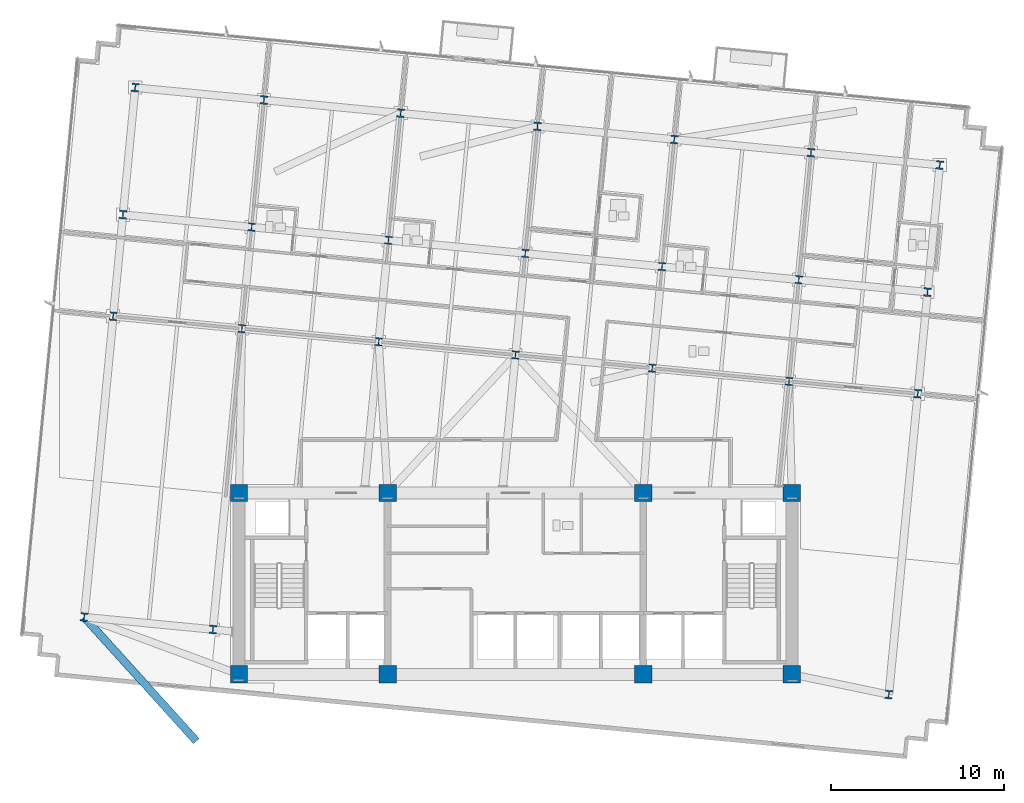
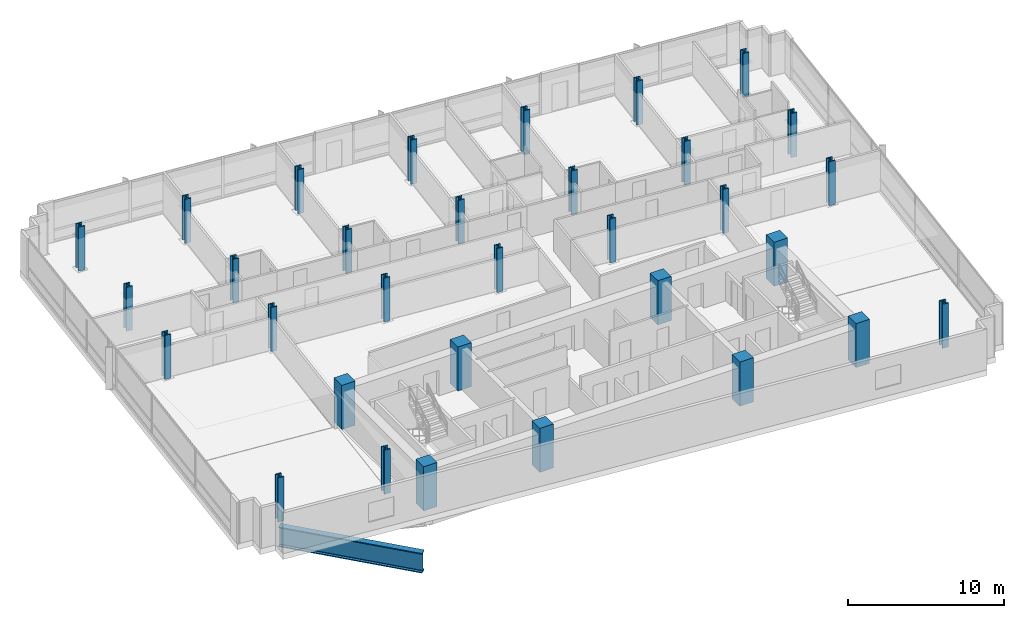
# One storey, part 1 of 18: 32 columns, 1 beam.
"""IFC4 building model written with IfcOpenShell, lengths in metres."""

from ifc_helpers import new_model, si_unit, direction, frame, origin, origin_2d, place, context, subcontext, project, spatial, rectangle, i_section, extrude, material, material_profile, profile_set, type_object, element, save


model = new_model("IFC4")

# Units and contexts
model_context = context("Model", 3, precision=1e-05, world=origin(), true_north=direction((0.0, 1.0)))
body_context = subcontext(model_context, "Body", "Model", "MODEL_VIEW")
ifc_project = project(units=[si_unit("LENGTHUNIT", "METRE"), si_unit("AREAUNIT", "SQUARE_METRE"), si_unit("VOLUMEUNIT", "CUBIC_METRE"), si_unit("PLANEANGLEUNIT", "RADIAN"), si_unit("MASSUNIT", "GRAM", prefix="KILO")], contexts=[model_context])

# Site, building, storey
site_placement = place(None, origin())
site = spatial("IfcSite", under=ifc_project, at=site_placement, CompositionType="ELEMENT")
building_placement = place(site_placement, origin())
building = spatial("IfcBuilding", under=site, at=building_placement, Name="Solmavex Isthmus Hotel", CompositionType="ELEMENT")
storey_placement = place(building_placement, frame((0.0, 0.0, 135.89990234375)))
storey = spatial("IfcBuildingStorey", under=building, at=storey_placement, Name="L36", CompositionType="ELEMENT", Elevation=135.89990234375)

# Columns
ifc_material_1 = material(Name="Concrete C60/75", Category="concrete")
ifc_material_profile_1 = material_profile(ifc_material_1, rectangle(XDim=1.0, YDim=1.0, at=origin_2d()), Name="RC1000X1000")
ifc_profile_set_1 = profile_set([ifc_material_profile_1], Name="Concrete C60/75")
column_type_1 = type_object("IfcColumnType", Name="COL-CC-1000", PredefinedType="COLUMN", material=ifc_profile_set_1)
for number, where, z_axis, x_axis, name in (
    (1, (-16.0, -13.0, 0.0), (0.0, 0.0, 1.0), (1.0, 0.0, 0.0), "Core Pilaster CC-SW L36"),
    (2, (-7.39990234375, -13.0, 0.0), (0.0, 0.0, 1.0), (1.0, 0.0, 0.0), "Core Pilaster CC-S1 L36"),
    (3, (7.39990234375, -13.0, 0.0), (0.0, 0.0, 1.0), (1.0, 0.0, 0.0), "Core Pilaster CC-S2 L36"),
    (4, (16.0, -13.0, 0.0), (0.0, 0.0, 1.0), (1.0, 0.0, 0.0), "Core Pilaster CC-SE L36"),
    (5, (-16.0, -2.5, 0.0), (0.0, 0.0, 1.0), (1.0, 0.0, 0.0), "Core Pilaster CC-NW L36"),
    (6, (-7.39990234375, -2.5, 0.0), (0.0, 0.0, 1.0), (1.0, 0.0, 0.0), "Core Pilaster CC-N1 L36"),
    (7, (7.39990234375, -2.5, 0.0), (0.0, 0.0, 1.0), (1.0, 0.0, 0.0), "Core Pilaster CC-N2 L36"),
    (8, (16.0, -2.5, 0.0), (0.0, 0.0, 1.0), (1.0, 0.0, 0.0), "Core Pilaster CC-NE L36"),
):
    element("IfcColumn", number, at=place(storey_placement, frame(where, z_axis=z_axis, x_axis=x_axis)), inside=storey, type_object=column_type_1, Name=name, PredefinedType="COLUMN", context=body_context, shape_type="SweptSolid", body=[
        extrude(rectangle(XDim=1.0, YDim=1.0, at=origin_2d()), origin(), (0.0, 0.0, 1.0), 3.4501953125),
    ])
ifc_material_2 = material(Name="Steel ASTM A913 Grade 65", Category="steel")
ifc_material_profile_2 = material_profile(ifc_material_2, i_section(OverallWidth=0.424072265625, OverallDepth=0.47412109375, WebThickness=0.047607421875, FlangeThickness=0.0771484375, FilletRadius=0.030517578125, at=origin_2d()), Name="W14X426")
ifc_profile_set_2 = profile_set([ifc_material_profile_2], Name="Steel ASTM A913 Grade 65")
column_type_2 = type_object("IfcColumnType", Name="COL-SC-W14X426", PredefinedType="COLUMN", material=ifc_profile_set_2)
for number, where, z_axis, x_axis, name in (
    (9, (-15.83740234375, 7.015380859375, 0.0), (0.0, 0.0, 1.0), (0.995396198367, -0.09584575252, 0.0), "Tower Column B3-U2V2 L36"),
    (10, (-15.271240234375, 12.896240234375, 0.0), (0.0, 0.0, 1.0), (0.995396198367, -0.09584575252, 0.0), "Tower Column B3-U2V3 L36"),
    (11, (-7.918212890625, 6.2529296875, 0.0), (0.0, 0.0, 1.0), (0.995396198367, -0.09584575252, 0.0), "Tower Column B3-U3V2 L36"),
    (12, (-7.351806640625, 12.1337890625, 0.0), (0.0, 0.0, 1.0), (0.995396198367, -0.09584575252, 0.0), "Tower Column B3-U3V3 L36"),
    (13, (0.001220703125, 5.490234375, 0.0), (0.0, 0.0, 1.0), (0.995396198367, -0.09584575252, 0.0), "Tower Column B3-U4V2 L36"),
    (14, (0.567626953125, 11.37109375, 0.0), (0.0, 0.0, 1.0), (0.995396198367, -0.09584575252, 0.0), "Tower Column B3-U4V3 L36"),
    (15, (7.920654296875, 4.727783203125, 0.0), (0.0, 0.0, 1.0), (0.995396198367, -0.09584575252, 0.0), "Tower Column B3-U5V2 L36"),
    (16, (8.48681640625, 10.608642578125, 0.0), (0.0, 0.0, 1.0), (0.995396198367, -0.09584575252, 0.0), "Tower Column B3-U5V3 L36"),
    (17, (15.840087890625, 3.96533203125, 0.0), (0.0, 0.0, 1.0), (0.995396198367, -0.09584575252, 0.0), "Tower Column B3-U6V2 L36"),
    (18, (16.40625, 9.845947265625, 0.0), (0.0, 0.0, 1.0), (0.995396198367, -0.09584575252, 0.0), "Tower Column B3-U6V3 L36"),
):
    element("IfcColumn", number, at=place(storey_placement, frame(where, z_axis=z_axis, x_axis=x_axis)), inside=storey, type_object=column_type_2, Name=name, PredefinedType="COLUMN", context=body_context, shape_type="SweptSolid", body=[
        extrude(i_section(OverallWidth=0.424072265625, OverallDepth=0.47412109375, WebThickness=0.047607421875, FlangeThickness=0.0771484375, FilletRadius=0.030517578125, at=origin_2d()), origin(), (0.0, 0.0, 1.0), 3.4501953125),
    ])
ifc_material_profile_3 = material_profile(ifc_material_2, i_section(OverallWidth=0.43212890625, OverallDepth=0.497802734375, WebThickness=0.0556640625, FlangeThickness=0.0888671875, FilletRadius=0.030517578125, at=origin_2d()), Name="W14X500")
ifc_profile_set_3 = profile_set([ifc_material_profile_3], Name="Steel ASTM A913 Grade 65")
column_type_3 = type_object("IfcColumnType", Name="COL-SC-W14X500", PredefinedType="COLUMN", material=ifc_profile_set_3)
for number, where, z_axis, x_axis, name in (
    (19, (-24.96826171875, -9.686279296875, 0.0), (0.0, 0.0, 1.0), (0.995396198367, -0.09584575252, 0.0), "Tower Column B3-U1V1 L36"),
    (20, (-23.291015625, 7.733154296875, 0.0), (0.0, 0.0, 1.0), (0.995396198367, -0.09584575252, 0.0), "Tower Column B3-U1V2 L36"),
    (21, (-22.724853515625, 13.614013671875, 0.0), (0.0, 0.0, 1.0), (0.995396198367, -0.09584575252, 0.0), "Tower Column B3-U1V3 L36"),
    (22, (-22.016357421875, 20.971923828125, 0.0), (0.0, 0.0, 1.0), (0.995396198367, -0.09584575252, 0.0), "Tower Column B3-U1V4 L36"),
    (23, (-17.5146484375, -10.404052734375, 0.0), (0.0, 0.0, 1.0), (0.995396198367, -0.09584575252, 0.0), "Tower Column B3-U2V1 L36"),
    (24, (-14.562744140625, 20.254150390625, 0.0), (0.0, 0.0, 1.0), (0.995396198367, -0.09584575252, 0.0), "Tower Column B3-U2V4 L36"),
    (25, (-6.643310546875, 19.49169921875, 0.0), (0.0, 0.0, 1.0), (0.995396198367, -0.09584575252, 0.0), "Tower Column B3-U3V4 L36"),
    (26, (1.276123046875, 18.72900390625, 0.0), (0.0, 0.0, 1.0), (0.995396198367, -0.09584575252, 0.0), "Tower Column B3-U4V4 L36"),
    (27, (9.1953125, 17.966552734375, 0.0), (0.0, 0.0, 1.0), (0.995396198367, -0.09584575252, 0.0), "Tower Column B3-U5V4 L36"),
    (28, (17.11474609375, 17.2041015625, 0.0), (0.0, 0.0, 1.0), (0.995396198367, -0.09584575252, 0.0), "Tower Column B3-U6V4 L36"),
    (29, (21.6162109375, -14.171875, 0.0), (0.0, 0.0, 1.0), (0.995396198367, -0.09584575252, 0.0), "Tower Column B3-U7V1 L36"),
    (30, (23.29345703125, 3.24755859375, 0.0), (0.0, 0.0, 1.0), (0.995396198367, -0.09584575252, 0.0), "Tower Column B3-U7V2 L36"),
    (31, (23.85986328125, 9.12841796875, 0.0), (0.0, 0.0, 1.0), (0.995396198367, -0.09584575252, 0.0), "Tower Column B3-U7V3 L36"),
    (32, (24.568359375, 16.486328125, 0.0), (0.0, 0.0, 1.0), (0.995396198367, -0.09584575252, 0.0), "Tower Column B3-U7V4 L36"),
):
    element("IfcColumn", number, at=place(storey_placement, frame(where, z_axis=z_axis, x_axis=x_axis)), inside=storey, type_object=column_type_3, Name=name, PredefinedType="COLUMN", context=body_context, shape_type="SweptSolid", body=[
        extrude(i_section(OverallWidth=0.43212890625, OverallDepth=0.497802734375, WebThickness=0.0556640625, FlangeThickness=0.0888671875, FilletRadius=0.030517578125, at=origin_2d()), origin(), (0.0, 0.0, 1.0), 3.4501953125),
    ])

# Beam
ifc_material_3 = material(Name="Steel ASTM A572 Grade 50", Category="steel")
ifc_material_profile_4 = material_profile(ifc_material_3, i_section(OverallWidth=0.449951171875, OverallDepth=1.550048828125, WebThickness=0.031982421875, FlangeThickness=0.06494140625, FilletRadius=0.030517578125, at=origin_2d()), Name="I1550X450")
ifc_profile_set_4 = profile_set([ifc_material_profile_4], Name="Steel ASTM A572 Grade 50")
beam_type = type_object("IfcBeamType", Name="BM-TB-G1550", PredefinedType="BEAM", material=ifc_profile_set_4)
beam_placement = place(storey_placement, frame((-18.475341796875, -16.8642578125, -1.224853515625), z_axis=(-0.670831420611, 0.741609873938, 0.0), x_axis=(-0.741609873938, -0.670831420611, 0.0)))
element("IfcBeam", 33, at=beam_placement, inside=storey, type_object=beam_type, Name="Core Outrigger Strut L35-OTK1", PredefinedType="BEAM", context=body_context, shape_type="SweptSolid", body=[
    extrude(i_section(OverallWidth=0.449951171875, OverallDepth=1.550048828125, WebThickness=0.031982421875, FlangeThickness=0.06494140625, FilletRadius=0.030517578125, at=origin_2d()), origin(), (0.0, 0.0, 1.0), 9.678955078125),
])

save(model, "model.ifc")
